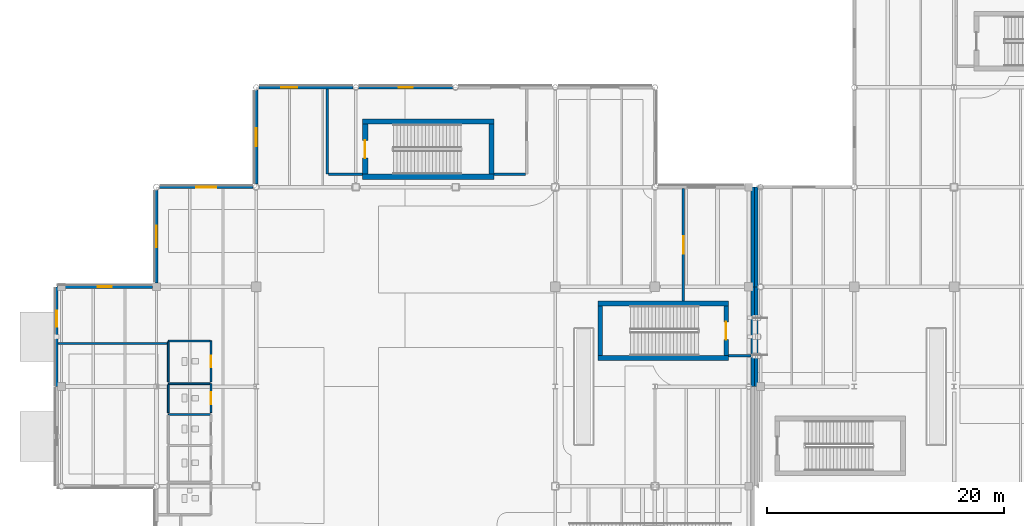
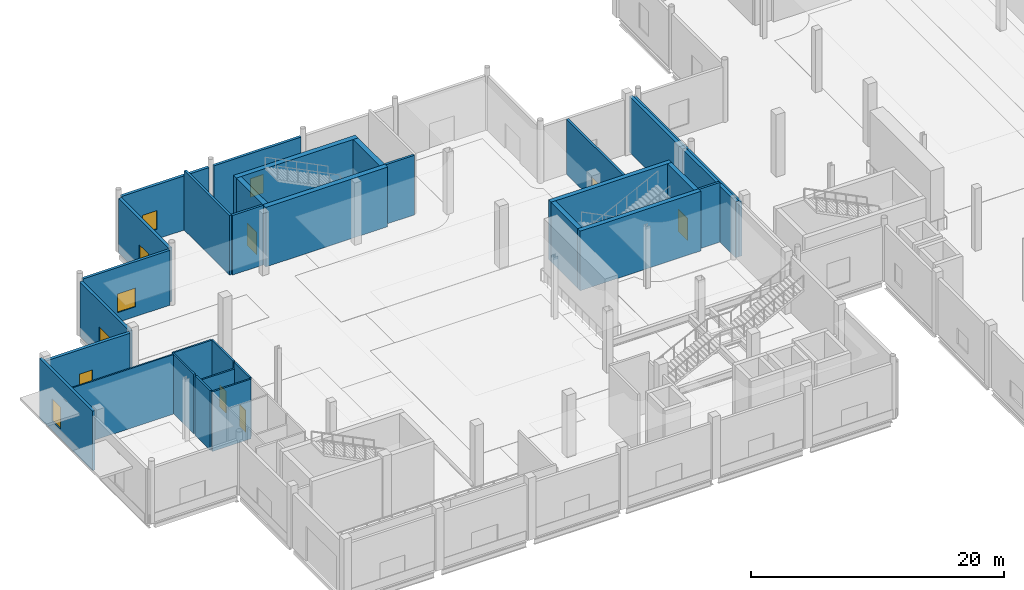
# One storey, part 48 of 85: 32 walls, 7 windows, 5 doors, 12 openings.
"""IFC4 building model written with IfcOpenShell, lengths in metres."""

from ifc_helpers import new_model, si_unit, direction, frame, frame_2d, origin, place, context, subcontext, project, spatial, rectangle, extrude, material, layer, layer_set, type_object, element, fill, save


model = new_model("IFC4")

# Units and contexts
model_context = context("Model", 3, precision=1e-05, world=origin(), true_north=direction((0.0, 1.0)))
body_context = subcontext(model_context, "Body", "Model", "MODEL_VIEW")
ifc_project = project(units=[si_unit("LENGTHUNIT", "METRE"), si_unit("AREAUNIT", "SQUARE_METRE"), si_unit("VOLUMEUNIT", "CUBIC_METRE"), si_unit("PLANEANGLEUNIT", "RADIAN"), si_unit("MASSUNIT", "GRAM", prefix="KILO"), si_unit("THERMODYNAMICTEMPERATUREUNIT", "KELVIN")], contexts=[model_context])

# Site, building, storey
site_placement = place(None, origin())
site = spatial("IfcSite", under=ifc_project, at=site_placement, CompositionType="ELEMENT")
building_placement = place(site_placement, origin())
building = spatial("IfcBuilding", under=site, at=building_placement, Name="Lustrewick Department Store", CompositionType="ELEMENT")
storey_placement = place(building_placement, origin())
storey = spatial("IfcBuildingStorey", under=building, at=storey_placement, Name="L01", CompositionType="ELEMENT", Elevation=0.0)

# Wall, opening, window
ifc_material_1 = material(Name="Precast concrete C40", Category="concrete")
ifc_layer_1 = layer(ifc_material_1, 0.239990234375, Name="Precast concrete C40")
ifc_layer_set_1 = layer_set([ifc_layer_1], Name="Precast concrete C40")
wall_type_1 = type_object("IfcWallType", Name="EW01", PredefinedType="STANDARD", material=ifc_layer_set_1)
wall_1_placement = place(storey_placement, frame((33.37646484375, 92.39990234375, 0.0), z_axis=(0.0, 0.0, 1.0), x_axis=(-1.0, 0.0, 0.0)))
wall_1 = element("IfcWall", 1, at=wall_1_placement, inside=storey, type_object=wall_type_1, Name="L01 V1 Exterior Wall EW01", PredefinedType="STANDARD", context=body_context, shape_type="SweptSolid", body=[
    extrude(rectangle(XDim=7.952880859375, YDim=0.239990234375, at=frame_2d((3.9765625, 0.0))), origin(), (0.0, 0.0, 1.0), 5.23095703125),
])
opening_1_placement = place(wall_1_placement, frame((3.37646484375, 0.0, 0.949951171875)))
opening_1 = element("IfcOpeningElement", 2, at=opening_1_placement, cuts=wall_1, Name="Opening WN01", PredefinedType="OPENING", context=body_context, shape_type="SweptSolid", body=[
    extrude(rectangle(XDim=1.199951171875, YDim=1.800048828125, at=frame_2d((0.60009765625, 0.89990234375))), frame((0.0, 0.1298828125, 0.0), z_axis=(0.0, -1.0, 0.0), x_axis=(1.0, 0.0, 0.0)), (0.0, 0.0, 1.0), 0.260009765625),
])
ifc_material_2 = material(Name="Thermally broken Low-E triple-glazed window", Category="glass")
window_type_1 = type_object("IfcWindowType", Name="WN01", PartitioningType="DOUBLE_PANEL_VERTICAL", PredefinedType="WINDOW", material=ifc_material_2)
window_1_placement = place(opening_1_placement, origin())
window_1 = element("IfcWindow", 3, at=window_1_placement, inside=storey, type_object=window_type_1, Name="L01 Art Nouveau Window WN01", OverallHeight=1.800048828125, OverallWidth=1.199951171875, PartitioningType="SINGLE_PANEL", PredefinedType="WINDOW", context=body_context, shape_type="SweptSolid", body=[
    extrude(rectangle(XDim=1.199951171875, YDim=1.800048828125, at=frame_2d((0.60009765625, 0.89990234375))), frame((0.0, 0.030029296875, 0.0), z_axis=(0.0, -1.0, 0.0), x_axis=(1.0, 0.0, 0.0)), (0.0, 0.0, 1.0), 0.06005859375),
])
fill(opening_1, window_1)

wall_2_placement = place(storey_placement, frame((16.551025390625, 84.0, 0.0), z_axis=(0.0, 0.0, 1.0), x_axis=(-1.0, 0.0, 0.0)))
wall_2 = element("IfcWall", 4, at=wall_2_placement, inside=storey, type_object=wall_type_1, Name="L01 V1 Exterior Wall EW01", PredefinedType="STANDARD", context=body_context, shape_type="SweptSolid", body=[
    extrude(rectangle(XDim=7.902099609375, YDim=0.239990234375, at=frame_2d((3.951171875, 0.0))), origin(), (0.0, 0.0, 1.0), 5.297119140625),
])
opening_2_placement = place(wall_2_placement, frame((3.111083984375, 0.0, 0.949951171875)))
opening_2 = element("IfcOpeningElement", 5, at=opening_2_placement, cuts=wall_2, Name="Opening WN04", PredefinedType="OPENING", context=body_context, shape_type="SweptSolid", body=[
    extrude(rectangle(XDim=1.679931640625, YDim=1.800048828125, at=frame_2d((0.83984375, 0.89990234375))), frame((0.0, 0.1298828125, 0.0), z_axis=(0.0, -1.0, 0.0), x_axis=(1.0, 0.0, 0.0)), (0.0, 0.0, 1.0), 0.260009765625),
])
window_type_2 = type_object("IfcWindowType", Name="WN04", PartitioningType="DOUBLE_PANEL_VERTICAL", PredefinedType="WINDOW", material=ifc_material_2)
window_2_placement = place(opening_2_placement, origin())
window_2 = element("IfcWindow", 6, at=window_2_placement, inside=storey, type_object=window_type_2, Name="L01 Art Nouveau Window WN04", OverallHeight=1.800048828125, OverallWidth=1.679931640625, PartitioningType="SINGLE_PANEL", PredefinedType="WINDOW", context=body_context, shape_type="SweptSolid", body=[
    extrude(rectangle(XDim=1.679931640625, YDim=1.800048828125, at=frame_2d((0.83984375, 0.89990234375))), frame((0.0, 0.030029296875, 0.0), z_axis=(0.0, -1.0, 0.0), x_axis=(1.0, 0.0, 0.0)), (0.0, 0.0, 1.0), 0.06005859375),
])
fill(opening_2, window_2)

wall_3_placement = place(storey_placement, frame((0.0, 75.60009765625, 0.0), z_axis=(0.0, 0.0, 1.0), x_axis=(0.0, -1.0, 0.0)))
wall_3 = element("IfcWall", 7, at=wall_3_placement, inside=storey, type_object=wall_type_1, Name="L01 V1 Exterior Wall EW01", PredefinedType="STANDARD", context=body_context, shape_type="SweptSolid", body=[
    extrude(rectangle(XDim=8.400146484375, YDim=0.239990234375, at=frame_2d((4.2001953125, 0.0))), origin(), (0.0, 0.0, 1.0), 5.7451171875),
])
opening_3_placement = place(wall_3_placement, frame((2.012939453125, 0.0, 0.949951171875)))
opening_3 = element("IfcOpeningElement", 8, at=opening_3_placement, cuts=wall_3, Name="Opening WN07", PredefinedType="OPENING", context=body_context, shape_type="SweptSolid", body=[
    extrude(rectangle(XDim=1.35009765625, YDim=2.10009765625, at=frame_2d((0.675048828125, 1.050048828125))), frame((0.0, 0.1298828125, 0.0), z_axis=(0.0, -1.0, 0.0), x_axis=(1.0, 0.0, 0.0)), (0.0, 0.0, 1.0), 0.260009765625),
])
window_type_3 = type_object("IfcWindowType", Name="WN07", PartitioningType="DOUBLE_PANEL_VERTICAL", PredefinedType="WINDOW", material=ifc_material_2)
window_3_placement = place(opening_3_placement, origin())
window_3 = element("IfcWindow", 9, at=window_3_placement, inside=storey, type_object=window_type_3, Name="L01 Art Nouveau Window WN07", OverallHeight=2.10009765625, OverallWidth=1.35009765625, PartitioningType="SINGLE_PANEL", PredefinedType="WINDOW", context=body_context, shape_type="SweptSolid", body=[
    extrude(rectangle(XDim=1.35009765625, YDim=2.10009765625, at=frame_2d((0.675048828125, 1.050048828125))), frame((0.0, 0.030029296875, 0.0), z_axis=(0.0, -1.0, 0.0), x_axis=(1.0, 0.0, 0.0)), (0.0, 0.0, 1.0), 0.06005859375),
])
fill(opening_3, window_3)

ifc_layer_2 = layer(ifc_material_1, 0.260009765625, Name="Precast concrete C40")
ifc_layer_set_2 = layer_set([ifc_layer_2], Name="Precast concrete C40")
wall_type_2 = type_object("IfcWallType", Name="EW02", PredefinedType="STANDARD", material=ifc_layer_set_2)
wall_4_placement = place(storey_placement, frame((24.9765625, 92.39990234375, 0.0), z_axis=(0.0, 0.0, 1.0), x_axis=(-1.0, 0.0, 0.0)))
wall_4 = element("IfcWall", 10, at=wall_4_placement, inside=storey, type_object=wall_type_2, Name="L01 V1 Exterior Wall EW02", PredefinedType="STANDARD", context=body_context, shape_type="SweptSolid", body=[
    extrude(rectangle(XDim=7.953125, YDim=0.260009765625, at=frame_2d((3.9765625, 0.0))), origin(), (0.0, 0.0, 1.0), 5.23095703125),
])
opening_4_placement = place(wall_4_placement, frame((4.73291015625, 0.0, 0.949951171875)))
opening_4 = element("IfcOpeningElement", 11, at=opening_4_placement, cuts=wall_4, Name="Opening WN02", PredefinedType="OPENING", context=body_context, shape_type="SweptSolid", body=[
    extrude(rectangle(XDim=1.35009765625, YDim=1.800048828125, at=frame_2d((0.675048828125, 0.89990234375))), frame((0.0, 0.14013671875, 0.0), z_axis=(0.0, -1.0, 0.0), x_axis=(1.0, 0.0, 0.0)), (0.0, 0.0, 1.0), 0.280029296875),
])
window_type_4 = type_object("IfcWindowType", Name="WN02", PartitioningType="DOUBLE_PANEL_VERTICAL", PredefinedType="WINDOW", material=ifc_material_2)
window_4_placement = place(opening_4_placement, origin())
window_4 = element("IfcWindow", 12, at=window_4_placement, inside=storey, type_object=window_type_4, Name="L01 Art Nouveau Window WN02", OverallHeight=1.800048828125, OverallWidth=1.35009765625, PartitioningType="SINGLE_PANEL", PredefinedType="WINDOW", context=body_context, shape_type="SweptSolid", body=[
    extrude(rectangle(XDim=1.35009765625, YDim=1.800048828125, at=frame_2d((0.675048828125, 0.89990234375))), frame((0.0, 0.030029296875, 0.0), z_axis=(0.0, -1.0, 0.0), x_axis=(1.0, 0.0, 0.0)), (0.0, 0.0, 1.0), 0.06005859375),
])
fill(opening_4, window_4)

wall_5_placement = place(storey_placement, frame((8.39990234375, 83.7509765625, 0.0), z_axis=(0.0, 0.0, 1.0), x_axis=(0.0, -1.0, 0.0)))
wall_5 = element("IfcWall", 13, at=wall_5_placement, inside=storey, type_object=wall_type_2, Name="L01 V1 Exterior Wall EW02", PredefinedType="STANDARD", context=body_context, shape_type="SweptSolid", body=[
    extrude(rectangle(XDim=7.8310546875, YDim=0.260009765625, at=frame_2d((3.91552734375, 0.0))), origin(), (0.0, 0.0, 1.0), 5.23095703125),
])
opening_5_placement = place(wall_5_placement, frame((3.015380859375, 0.0, 0.949951171875)))
opening_5 = element("IfcOpeningElement", 14, at=opening_5_placement, cuts=wall_5, Name="Opening WN05", PredefinedType="OPENING", context=body_context, shape_type="SweptSolid", body=[
    extrude(rectangle(XDim=1.800048828125, YDim=1.800048828125, at=frame_2d((0.89990234375, 0.89990234375))), frame((0.0, 0.14013671875, 0.0), z_axis=(0.0, -1.0, 0.0), x_axis=(1.0, 0.0, 0.0)), (0.0, 0.0, 1.0), 0.280029296875),
])
window_type_5 = type_object("IfcWindowType", Name="WN05", PartitioningType="DOUBLE_PANEL_VERTICAL", PredefinedType="WINDOW", material=ifc_material_2)
window_5_placement = place(opening_5_placement, origin())
window_5 = element("IfcWindow", 15, at=window_5_placement, inside=storey, type_object=window_type_5, Name="L01 Art Nouveau Window WN05", OverallHeight=1.800048828125, OverallWidth=1.800048828125, PartitioningType="SINGLE_PANEL", PredefinedType="WINDOW", context=body_context, shape_type="SweptSolid", body=[
    extrude(rectangle(XDim=1.800048828125, YDim=1.800048828125, at=frame_2d((0.89990234375, 0.89990234375))), frame((0.0, 0.030029296875, 0.0), z_axis=(0.0, -1.0, 0.0), x_axis=(1.0, 0.0, 0.0)), (0.0, 0.0, 1.0), 0.06005859375),
])
fill(opening_5, window_5)

ifc_layer_3 = layer(ifc_material_1, 0.280029296875, Name="Precast concrete C40")
ifc_layer_set_3 = layer_set([ifc_layer_3], Name="Precast concrete C40")
wall_type_3 = type_object("IfcWallType", Name="EW03", PredefinedType="STANDARD", material=ifc_layer_set_3)
wall_6_placement = place(storey_placement, frame((16.800048828125, 92.176513671875, 0.0), z_axis=(0.0, 0.0, 1.0), x_axis=(0.0, -1.0, 0.0)))
wall_6 = element("IfcWall", 16, at=wall_6_placement, inside=storey, type_object=wall_type_3, Name="L01 V1 Exterior Wall EW03", PredefinedType="STANDARD", context=body_context, shape_type="SweptSolid", body=[
    extrude(rectangle(XDim=7.927490234375, YDim=0.280029296875, at=frame_2d((3.9638671875, 0.0))), origin(), (0.0, 0.0, 1.0), 5.23095703125),
])
opening_6_placement = place(wall_6_placement, frame((3.2138671875, 0.0, 0.949951171875)))
opening_6 = element("IfcOpeningElement", 17, at=opening_6_placement, cuts=wall_6, Name="Opening WN03", PredefinedType="OPENING", context=body_context, shape_type="SweptSolid", body=[
    extrude(rectangle(XDim=1.5, YDim=1.800048828125, at=frame_2d((0.75, 0.89990234375))), frame((0.0, 0.14990234375, 0.0), z_axis=(0.0, -1.0, 0.0), x_axis=(1.0, 0.0, 0.0)), (0.0, 0.0, 1.0), 0.300048828125),
])
window_type_6 = type_object("IfcWindowType", Name="WN03", PartitioningType="DOUBLE_PANEL_VERTICAL", PredefinedType="WINDOW", material=ifc_material_2)
window_6_placement = place(opening_6_placement, origin())
window_6 = element("IfcWindow", 18, at=window_6_placement, inside=storey, type_object=window_type_6, Name="L01 Art Nouveau Window WN03", OverallHeight=1.800048828125, OverallWidth=1.5, PartitioningType="SINGLE_PANEL", PredefinedType="WINDOW", context=body_context, shape_type="SweptSolid", body=[
    extrude(rectangle(XDim=1.5, YDim=1.800048828125, at=frame_2d((0.75, 0.89990234375))), frame((0.0, 0.030029296875, 0.0), z_axis=(0.0, -1.0, 0.0), x_axis=(1.0, 0.0, 0.0)), (0.0, 0.0, 1.0), 0.06005859375),
])
fill(opening_6, window_6)

wall_7_placement = place(storey_placement, frame((8.080078125, 75.60009765625, 0.0), z_axis=(0.0, 0.0, 1.0), x_axis=(-1.0, 0.0, 0.0)))
wall_7 = element("IfcWall", 19, at=wall_7_placement, inside=storey, type_object=wall_type_3, Name="L01 V1 Exterior Wall EW03", PredefinedType="STANDARD", context=body_context, shape_type="SweptSolid", body=[
    extrude(rectangle(XDim=8.080078125, YDim=0.280029296875, at=frame_2d((4.0400390625, 0.0))), origin(), (0.0, 0.0, 1.0), 5.386962890625),
])
opening_7_placement = place(wall_7_placement, frame((3.43994140625, 0.0, 0.949951171875)))
opening_7 = element("IfcOpeningElement", 20, at=opening_7_placement, cuts=wall_7, Name="Opening WN06", PredefinedType="OPENING", context=body_context, shape_type="SweptSolid", body=[
    extrude(rectangle(XDim=1.199951171875, YDim=2.10009765625, at=frame_2d((0.60009765625, 1.050048828125))), frame((0.0, 0.14990234375, 0.0), z_axis=(0.0, -1.0, 0.0), x_axis=(1.0, 0.0, 0.0)), (0.0, 0.0, 1.0), 0.300048828125),
])
window_type_7 = type_object("IfcWindowType", Name="WN06", PartitioningType="DOUBLE_PANEL_VERTICAL", PredefinedType="WINDOW", material=ifc_material_2)
window_7_placement = place(opening_7_placement, origin())
window_7 = element("IfcWindow", 21, at=window_7_placement, inside=storey, type_object=window_type_7, Name="L01 Art Nouveau Window WN06", OverallHeight=2.10009765625, OverallWidth=1.199951171875, PartitioningType="SINGLE_PANEL", PredefinedType="WINDOW", context=body_context, shape_type="SweptSolid", body=[
    extrude(rectangle(XDim=1.199951171875, YDim=2.10009765625, at=frame_2d((0.60009765625, 1.050048828125))), frame((0.0, 0.030029296875, 0.0), z_axis=(0.0, -1.0, 0.0), x_axis=(1.0, 0.0, 0.0)), (0.0, 0.0, 1.0), 0.06005859375),
])
fill(opening_7, window_7)

# Walls
ifc_layer_4 = layer(ifc_material_1, 0.300048828125, Name="Precast concrete C40")
ifc_layer_set_4 = layer_set([ifc_layer_4], Name="Precast concrete C40")
wall_type_4 = type_object("IfcWallType", Name="EW04", PredefinedType="STANDARD", material=ifc_layer_set_4)
wall_8_placement = place(storey_placement, frame((58.64990234375, 67.199951171875, 0.0), z_axis=(0.0, 0.0, 1.0), x_axis=(0.0, 1.0, 0.0)))
element("IfcWall", 22, at=wall_8_placement, inside=storey, type_object=wall_type_4, Name="L01 V1 Exterior Wall EW04", PredefinedType="STANDARD", context=body_context, shape_type="SweptSolid", body=[
    extrude(rectangle(XDim=8.400146484375, YDim=0.300048828125, at=frame_2d((4.2001953125, 0.0))), origin(), (0.0, 0.0, 1.0), 5.386962890625),
])
wall_9_placement = place(storey_placement, frame((58.64990234375, 75.60009765625, 0.0), z_axis=(0.0, 0.0, 1.0), x_axis=(0.0, 1.0, 0.0)))
element("IfcWall", 23, at=wall_9_placement, inside=storey, type_object=wall_type_4, Name="L01 V1 Exterior Wall EW04", PredefinedType="STANDARD", context=body_context, shape_type="SweptSolid", body=[
    extrude(rectangle(XDim=8.39990234375, YDim=0.300048828125, at=frame_2d((4.199951171875, 0.0))), origin(), (0.0, 0.0, 1.0), 5.386962890625),
])
wall_10_placement = place(storey_placement, frame((58.949951171875, 84.0, 0.0), z_axis=(0.0, 0.0, 1.0), x_axis=(0.0, -1.0, 0.0)))
element("IfcWall", 24, at=wall_10_placement, inside=storey, type_object=wall_type_4, Name="L01 V2 Exterior Wall EW04", PredefinedType="STANDARD", context=body_context, shape_type="SweptSolid", body=[
    extrude(rectangle(XDim=8.39990234375, YDim=0.300048828125, at=frame_2d((4.199951171875, 0.0))), origin(), (0.0, 0.0, 1.0), 5.23095703125),
])
wall_11_placement = place(storey_placement, frame((58.949951171875, 75.60009765625, 0.0), z_axis=(0.0, 0.0, 1.0), x_axis=(0.0, -1.0, 0.0)))
element("IfcWall", 25, at=wall_11_placement, inside=storey, type_object=wall_type_4, Name="L01 V2 Exterior Wall EW04", PredefinedType="STANDARD", context=body_context, shape_type="SweptSolid", body=[
    extrude(rectangle(XDim=8.400146484375, YDim=0.300048828125, at=frame_2d((4.2001953125, 0.0))), origin(), (0.0, 0.0, 1.0), 5.23095703125),
])
ifc_material_3 = material(Name="Autoclaved aerated concrete blockwork and fire board", Category="masonry")
ifc_layer_5 = layer(ifc_material_3, 0.205078125, Name="Autoclaved aerated concrete blockwork and fire board")
ifc_layer_set_5 = layer_set([ifc_layer_5], Name="Autoclaved aerated concrete blockwork and fire board")
wall_type_5 = type_object("IfcWallType", Name="PW02", PredefinedType="PARTITIONING", material=ifc_layer_set_5)
wall_12_placement = place(storey_placement, frame((56.60009765625, 69.800048828125, 0.0), z_axis=(0.0, 0.0, 1.0), x_axis=(1.0, 0.0, 0.0)))
element("IfcWall", 26, at=wall_12_placement, inside=storey, type_object=wall_type_5, Name="L01 Protected Exit Passageway ST02 PW02", PredefinedType="PARTITIONING", context=body_context, shape_type="SweptSolid", body=[
    extrude(rectangle(XDim=1.90478515625, YDim=0.205078125, at=frame_2d((0.952392578125, 0.0))), origin(), (0.0, 0.0, 1.0), 5.7451171875),
])

# Wall, opening, door
wall_13_placement = place(storey_placement, frame((52.800048828125, 83.864990234375, 0.0), z_axis=(0.0, 0.0, 1.0), x_axis=(0.0, -1.0, 0.0)))
wall_13 = element("IfcWall", 27, at=wall_13_placement, inside=storey, type_object=wall_type_5, Name="L01 Protected Exit Passageway ST02 PW02", PredefinedType="PARTITIONING", context=body_context, shape_type="SweptSolid", body=[
    extrude(rectangle(XDim=9.469970703125, YDim=0.205078125, at=frame_2d((4.73486328125, 0.0))), origin(), (0.0, 0.0, 1.0), 5.291015625),
])
opening_8_placement = place(wall_13_placement, frame((3.985107421875, 0.0, 0.0)))
opening_8 = element("IfcOpeningElement", 28, at=opening_8_placement, cuts=wall_13, Name="Opening D-L01-042", PredefinedType="OPENING", context=body_context, shape_type="SweptSolid", body=[
    extrude(rectangle(XDim=1.5, YDim=2.14990234375, at=frame_2d((0.75, 1.074951171875))), frame((0.0, 0.112548828125, 0.0), z_axis=(0.0, -1.0, 0.0), x_axis=(1.0, 0.0, 0.0)), (0.0, 0.0, 1.0), 0.22509765625),
])
ifc_material_4 = material(Name="Steel fire door Class B EI 60", Category="steel")
door_type_1 = type_object("IfcDoorType", Name="DT-07", OperationType="NOTDEFINED", PredefinedType="DOOR", material=ifc_material_4)
door_1_placement = place(opening_8_placement, origin())
door_1 = element("IfcDoor", 29, at=door_1_placement, inside=storey, type_object=door_type_1, Name="L01 Protected Exit Passageway ST02 Door D-L01-042", OperationType="SINGLE_SWING_LEFT", OverallHeight=2.14990234375, OverallWidth=1.5, PredefinedType="DOOR", context=body_context, shape_type="SweptSolid", body=[
    extrude(rectangle(XDim=1.5, YDim=2.14990234375, at=frame_2d((0.75, 1.074951171875))), frame((0.0, 0.02490234375, 0.0), z_axis=(0.0, -1.0, 0.0), x_axis=(1.0, 0.0, 0.0)), (0.0, 0.0, 1.0), 0.050048828125),
])
fill(opening_8, door_1)

# Walls
wall_14_placement = place(storey_placement, frame((22.800048828125, 92.27490234375, 0.0), z_axis=(0.0, 0.0, 1.0), x_axis=(0.0, -1.0, 0.0)))
element("IfcWall", 30, at=wall_14_placement, inside=storey, type_object=wall_type_5, Name="L01 Protected Exit Passageway ST03 PW02", PredefinedType="PARTITIONING", context=body_context, shape_type="SweptSolid", body=[
    extrude(rectangle(XDim=7.1748046875, YDim=0.205078125, at=frame_2d((3.58740234375, 0.0))), origin(), (0.0, 0.0, 1.0), 5.7451171875),
])
wall_15_placement = place(storey_placement, frame((22.8974609375, 85.10009765625, 0.0), z_axis=(0.0, 0.0, 1.0), x_axis=(1.0, 0.0, 0.0)))
element("IfcWall", 31, at=wall_15_placement, inside=storey, type_object=wall_type_5, Name="L01 Protected Exit Passageway ST03 PW02", PredefinedType="PARTITIONING", context=body_context, shape_type="SweptSolid", body=[
    extrude(rectangle(XDim=2.8525390625, YDim=0.205078125, at=frame_2d((1.42626953125, 0.0))), origin(), (0.0, 0.0, 1.0), 5.7451171875),
])
wall_16_placement = place(storey_placement, frame((36.85009765625, 85.10009765625, 0.0), z_axis=(0.0, 0.0, 1.0), x_axis=(1.0, 0.0, 0.0)))
element("IfcWall", 32, at=wall_16_placement, inside=storey, type_object=wall_type_5, Name="L01 Protected Exit Passageway ST03 PW02", PredefinedType="PARTITIONING", context=body_context, shape_type="SweptSolid", body=[
    extrude(rectangle(XDim=2.65234375, YDim=0.205078125, at=frame_2d((1.326171875, 0.0))), origin(), (0.0, 0.0, 1.0), 5.7451171875),
])
ifc_material_5 = material(Name="Moisture-resistant cement board sanitary partition", Category="gypsum")
ifc_layer_6 = layer(ifc_material_5, 0.14990234375, Name="Moisture-resistant cement board sanitary partition")
ifc_layer_set_6 = layer_set([ifc_layer_6], Name="Moisture-resistant cement board sanitary partition")
wall_type_6 = type_object("IfcWallType", Name="PW05", PredefinedType="PARTITIONING", material=ifc_layer_set_6)
wall_17_placement = place(storey_placement, frame((12.929931640625, 64.840087890625, 0.0), z_axis=(0.0, 0.0, 1.0), x_axis=(-1.0, 0.0, 0.0)))
element("IfcWall", 33, at=wall_17_placement, inside=storey, type_object=wall_type_6, Name="L01 Accessible WC PW05", PredefinedType="PARTITIONING", context=body_context, shape_type="SweptSolid", body=[
    extrude(rectangle(XDim=3.530029296875, YDim=0.14990234375, at=frame_2d((1.76513671875, 0.0))), origin(), (0.0, 0.0, 1.0), 5.7451171875),
])

# Wall, opening, door
wall_18_placement = place(storey_placement, frame((13.0, 65.0, 0.0), z_axis=(0.0, 0.0, 1.0), x_axis=(0.0, 1.0, 0.0)))
wall_18 = element("IfcWall", 34, at=wall_18_placement, inside=storey, type_object=wall_type_6, Name="L01 Staff WC PW05", PredefinedType="PARTITIONING", context=body_context, shape_type="SweptSolid", body=[
    extrude(rectangle(XDim=2.43994140625, YDim=0.14990234375, at=frame_2d((1.219970703125, 0.0))), origin(), (0.0, 0.0, 1.0), 5.7451171875),
])
opening_9_placement = place(wall_18_placement, frame((0.719970703125, 0.0, 0.0)))
opening_9 = element("IfcOpeningElement", 35, at=opening_9_placement, cuts=wall_18, Name="Opening D-L01-047", PredefinedType="OPENING", context=body_context, shape_type="SweptSolid", body=[
    extrude(rectangle(XDim=1.0, YDim=2.10009765625, at=frame_2d((0.5, 1.050048828125))), frame((0.0, 0.0849609375, 0.0), z_axis=(0.0, -1.0, 0.0), x_axis=(1.0, 0.0, 0.0)), (0.0, 0.0, 1.0), 0.169921875),
])
ifc_material_6 = material(Name="Moisture-resistant laminate sanitary door", Category="steel")
door_type_2 = type_object("IfcDoorType", Name="DT-11", OperationType="NOTDEFINED", PredefinedType="DOOR", material=ifc_material_6)
door_2_placement = place(opening_9_placement, origin())
door_2 = element("IfcDoor", 36, at=door_2_placement, inside=storey, type_object=door_type_2, Name="L01 Staff WC Door D-L01-047", OperationType="SINGLE_SWING_RIGHT", OverallHeight=2.10009765625, OverallWidth=1.0, PredefinedType="DOOR", context=body_context, shape_type="SweptSolid", body=[
    extrude(rectangle(XDim=1.0, YDim=2.10009765625, at=frame_2d((0.5, 1.050048828125))), frame((0.0, 0.02490234375, 0.0), z_axis=(0.0, -1.0, 0.0), x_axis=(1.0, 0.0, 0.0)), (0.0, 0.0, 1.0), 0.050048828125),
])
fill(opening_9, door_2)

# Walls
wall_19_placement = place(storey_placement, frame((12.929931640625, 67.43994140625, 0.0), z_axis=(0.0, 0.0, 1.0), x_axis=(-1.0, 0.0, 0.0)))
element("IfcWall", 37, at=wall_19_placement, inside=storey, type_object=wall_type_6, Name="L01 Staff WC PW05", PredefinedType="PARTITIONING", context=body_context, shape_type="SweptSolid", body=[
    extrude(rectangle(XDim=3.530029296875, YDim=0.14990234375, at=frame_2d((1.76513671875, 0.0))), origin(), (0.0, 0.0, 1.0), 5.14306640625),
])
wall_20_placement = place(storey_placement, frame((9.39990234375, 67.3701171875, 0.0), z_axis=(0.0, 0.0, 1.0), x_axis=(0.0, -1.0, 0.0)))
element("IfcWall", 38, at=wall_20_placement, inside=storey, type_object=wall_type_6, Name="L01 Staff WC PW05", PredefinedType="PARTITIONING", context=body_context, shape_type="SweptSolid", body=[
    extrude(rectangle(XDim=2.3701171875, YDim=0.14990234375, at=frame_2d((1.18505859375, 0.0))), origin(), (0.0, 0.0, 1.0), 5.7451171875),
])

# Wall, opening, door
wall_21_placement = place(storey_placement, frame((13.0, 67.60009765625, 0.0), z_axis=(0.0, 0.0, 1.0), x_axis=(0.0, 1.0, 0.0)))
wall_21 = element("IfcWall", 39, at=wall_21_placement, inside=storey, type_object=wall_type_6, Name="L01 Nursery Room PW05", PredefinedType="PARTITIONING", context=body_context, shape_type="SweptSolid", body=[
    extrude(rectangle(XDim=3.43994140625, YDim=0.14990234375, at=frame_2d((1.719970703125, 0.0))), origin(), (0.0, 0.0, 1.0), 5.7451171875),
])
opening_10_placement = place(wall_21_placement, frame((1.22998046875, 0.0, 0.0)))
opening_10 = element("IfcOpeningElement", 40, at=opening_10_placement, cuts=wall_21, Name="Opening D-L01-048", PredefinedType="OPENING", context=body_context, shape_type="SweptSolid", body=[
    extrude(rectangle(XDim=0.97998046875, YDim=2.10009765625, at=frame_2d((0.489990234375, 1.050048828125))), frame((0.0, 0.0849609375, 0.0), z_axis=(0.0, -1.0, 0.0), x_axis=(1.0, 0.0, 0.0)), (0.0, 0.0, 1.0), 0.169921875),
])
ifc_material_7 = material(Name="Barrier-free accessible sanitary door", Category="steel")
door_type_3 = type_object("IfcDoorType", Name="DT-12", OperationType="NOTDEFINED", PredefinedType="DOOR", material=ifc_material_7)
door_3_placement = place(opening_10_placement, origin())
door_3 = element("IfcDoor", 41, at=door_3_placement, inside=storey, type_object=door_type_3, Name="L01 Nursery Room Door D-L01-048", OperationType="SINGLE_SWING_LEFT", OverallHeight=2.10009765625, OverallWidth=0.97998046875, PredefinedType="DOOR", context=body_context, shape_type="SweptSolid", body=[
    extrude(rectangle(XDim=0.97998046875, YDim=2.10009765625, at=frame_2d((0.489990234375, 1.050048828125))), frame((0.0, 0.02490234375, 0.0), z_axis=(0.0, -1.0, 0.0), x_axis=(1.0, 0.0, 0.0)), (0.0, 0.0, 1.0), 0.050048828125),
])
fill(opening_10, door_3)

# Walls
wall_22_placement = place(storey_placement, frame((12.929931640625, 71.0400390625, 0.0), z_axis=(0.0, 0.0, 1.0), x_axis=(-1.0, 0.0, 0.0)))
element("IfcWall", 42, at=wall_22_placement, inside=storey, type_object=wall_type_6, Name="L01 Nursery Room PW05", PredefinedType="PARTITIONING", context=body_context, shape_type="SweptSolid", body=[
    extrude(rectangle(XDim=3.530029296875, YDim=0.14990234375, at=frame_2d((1.76513671875, 0.0))), origin(), (0.0, 0.0, 1.0), 5.7451171875),
])
wall_23_placement = place(storey_placement, frame((9.39990234375, 70.969970703125, 0.0), z_axis=(0.0, 0.0, 1.0), x_axis=(0.0, -1.0, 0.0)))
element("IfcWall", 43, at=wall_23_placement, inside=storey, type_object=wall_type_6, Name="L01 Nursery Room PW05", PredefinedType="PARTITIONING", context=body_context, shape_type="SweptSolid", body=[
    extrude(rectangle(XDim=3.369873046875, YDim=0.14990234375, at=frame_2d((1.68505859375, 0.0))), origin(), (0.0, 0.0, 1.0), 5.7451171875),
])
ifc_material_8 = material(Name="Acoustic gypsum stud corridor partition", Category="gypsum")
ifc_layer_7 = layer(ifc_material_8, 0.135009765625, Name="Acoustic gypsum stud corridor partition")
ifc_layer_set_7 = layer_set([ifc_layer_7], Name="Acoustic gypsum stud corridor partition")
wall_type_7 = type_object("IfcWallType", Name="PW06", PredefinedType="PARTITIONING", material=ifc_layer_set_7)
wall_24_placement = place(storey_placement, frame((9.330078125, 70.82666015625, 0.0), z_axis=(0.0, 0.0, 1.0), x_axis=(-1.0, 0.0, 0.0)))
element("IfcWall", 44, at=wall_24_placement, inside=storey, type_object=wall_type_7, Name="L01 Cosmetics and Perfumery Boutique PW06", PredefinedType="PARTITIONING", context=body_context, shape_type="SweptSolid", body=[
    extrude(rectangle(XDim=9.215087890625, YDim=0.135009765625, at=frame_2d((4.607421875, 0.0))), origin(), (0.0, 0.0, 1.0), 5.7451171875),
])
ifc_material_9 = material(Name="Concrete C50", Category="concrete")
ifc_layer_8 = layer(ifc_material_9, 0.449951171875, Name="Concrete C50")
ifc_layer_set_8 = layer_set([ifc_layer_8], Name="Concrete C50")
wall_type_8 = type_object("IfcWallType", Name="SW01", PredefinedType="SHEAR", material=ifc_layer_set_8)
wall_25_placement = place(storey_placement, frame((25.75, 84.875, 0.0), z_axis=(0.0, 0.0, 1.0), x_axis=(1.0, 0.0, 0.0)))
element("IfcWall", 45, at=wall_25_placement, inside=storey, type_object=wall_type_8, Name="L01 Stair Core ST03 Shear Wall S", PredefinedType="SHEAR", context=body_context, shape_type="SweptSolid", body=[
    extrude(rectangle(XDim=11.10009765625, YDim=0.449951171875, at=frame_2d((5.550048828125, 0.0))), origin(), (0.0, 0.0, 1.0), 5.7451171875),
])
wall_26_placement = place(storey_placement, frame((36.625, 85.10009765625, 0.0), z_axis=(0.0, 0.0, 1.0), x_axis=(0.0, 1.0, 0.0)))
element("IfcWall", 46, at=wall_26_placement, inside=storey, type_object=wall_type_8, Name="L01 Stair Core ST03 Shear Wall E", PredefinedType="SHEAR", context=body_context, shape_type="SweptSolid", body=[
    extrude(rectangle(XDim=4.199951171875, YDim=0.449951171875, at=frame_2d((2.10009765625, 0.0))), origin(), (0.0, 0.0, 1.0), 5.7451171875),
])
wall_27_placement = place(storey_placement, frame((36.85009765625, 89.52490234375, 0.0), z_axis=(0.0, 0.0, 1.0), x_axis=(-1.0, 0.0, 0.0)))
element("IfcWall", 47, at=wall_27_placement, inside=storey, type_object=wall_type_8, Name="L01 Stair Core ST03 Shear Wall N", PredefinedType="SHEAR", context=body_context, shape_type="SweptSolid", body=[
    extrude(rectangle(XDim=11.10009765625, YDim=0.449951171875, at=frame_2d((5.550048828125, 0.0))), origin(), (0.0, 0.0, 1.0), 5.7451171875),
])

# Wall, opening, door
wall_28_placement = place(storey_placement, frame((25.97509765625, 89.300048828125, 0.0), z_axis=(0.0, 0.0, 1.0), x_axis=(0.0, -1.0, 0.0)))
wall_28 = element("IfcWall", 48, at=wall_28_placement, inside=storey, type_object=wall_type_8, Name="L01 Stair Core ST03 Shear Wall W", PredefinedType="SHEAR", context=body_context, shape_type="SweptSolid", body=[
    extrude(rectangle(XDim=4.199951171875, YDim=0.449951171875, at=frame_2d((2.10009765625, 0.0))), origin(), (0.0, 0.0, 1.0), 5.7451171875),
])
opening_11_placement = place(wall_28_placement, frame((1.35009765625, 0.0, 0.0)))
opening_11 = element("IfcOpeningElement", 49, at=opening_11_placement, cuts=wall_28, Name="Opening D-L01-003", PredefinedType="OPENING", context=body_context, shape_type="SweptSolid", body=[
    extrude(rectangle(XDim=1.5, YDim=2.14990234375, at=frame_2d((0.75, 1.074951171875))), frame((0.0, 0.23486328125, 0.0), z_axis=(0.0, -1.0, 0.0), x_axis=(1.0, 0.0, 0.0)), (0.0, 0.0, 1.0), 0.469970703125),
])
door_4_placement = place(opening_11_placement, frame((1.5, 0.0, 0.0), z_axis=(0.0, 0.0, 1.0), x_axis=(-1.0, 0.0, 0.0)))
door_4 = element("IfcDoor", 50, at=door_4_placement, inside=storey, type_object=door_type_1, Name="L01 Smoke-Proof Stair ST03 Fire Door", OperationType="SINGLE_SWING_LEFT", OverallHeight=2.14990234375, OverallWidth=1.5, PredefinedType="DOOR", context=body_context, shape_type="SweptSolid", body=[
    extrude(rectangle(XDim=1.5, YDim=2.14990234375, at=frame_2d((0.75, 1.074951171875))), frame((0.0, 0.02490234375, 0.0), z_axis=(0.0, -1.0, 0.0), x_axis=(1.0, 0.0, 0.0)), (0.0, 0.0, 1.0), 0.050048828125),
])
fill(opening_11, door_4)

# Wall
ifc_layer_9 = layer(ifc_material_9, 0.39990234375, Name="Concrete C50")
ifc_layer_set_9 = layer_set([ifc_layer_9], Name="Concrete C50")
wall_type_9 = type_object("IfcWallType", Name="SW02", PredefinedType="SHEAR", material=ifc_layer_set_9)
wall_29_placement = place(storey_placement, frame((45.60009765625, 69.60009765625, 0.0), z_axis=(0.0, 0.0, 1.0), x_axis=(1.0, 0.0, 0.0)))
element("IfcWall", 51, at=wall_29_placement, inside=storey, type_object=wall_type_9, Name="L01 Stair Core ST02 Shear Wall S", PredefinedType="SHEAR", context=body_context, shape_type="SweptSolid", body=[
    extrude(rectangle(XDim=11.0, YDim=0.39990234375, at=frame_2d((5.5, 0.0))), origin(), (0.0, 0.0, 1.0), 5.7451171875),
])

# Wall, opening, door
wall_30_placement = place(storey_placement, frame((56.39990234375, 69.800048828125, 0.0), z_axis=(0.0, 0.0, 1.0), x_axis=(0.0, 1.0, 0.0)))
wall_30 = element("IfcWall", 52, at=wall_30_placement, inside=storey, type_object=wall_type_9, Name="L01 Stair Core ST02 Shear Wall E", PredefinedType="SHEAR", context=body_context, shape_type="SweptSolid", body=[
    extrude(rectangle(XDim=4.199951171875, YDim=0.39990234375, at=frame_2d((2.10009765625, 0.0))), origin(), (0.0, 0.0, 1.0), 5.7451171875),
])
opening_12_placement = place(wall_30_placement, frame((1.35009765625, 0.0, 0.0)))
opening_12 = element("IfcOpeningElement", 53, at=opening_12_placement, cuts=wall_30, Name="Opening D-L01-002", PredefinedType="OPENING", context=body_context, shape_type="SweptSolid", body=[
    extrude(rectangle(XDim=1.5, YDim=2.14990234375, at=frame_2d((0.75, 1.074951171875))), frame((0.0, 0.2099609375, 0.0), z_axis=(0.0, -1.0, 0.0), x_axis=(1.0, 0.0, 0.0)), (0.0, 0.0, 1.0), 0.419921875),
])
door_5_placement = place(opening_12_placement, frame((1.5, 0.0, 0.0), z_axis=(0.0, 0.0, 1.0), x_axis=(-1.0, 0.0, 0.0)))
door_5 = element("IfcDoor", 54, at=door_5_placement, inside=storey, type_object=door_type_1, Name="L01 Smoke-Proof Stair ST02 Fire Door", OperationType="SINGLE_SWING_RIGHT", OverallHeight=2.14990234375, OverallWidth=1.5, PredefinedType="DOOR", context=body_context, shape_type="SweptSolid", body=[
    extrude(rectangle(XDim=1.5, YDim=2.14990234375, at=frame_2d((0.75, 1.074951171875))), frame((0.0, 0.02490234375, 0.0), z_axis=(0.0, -1.0, 0.0), x_axis=(1.0, 0.0, 0.0)), (0.0, 0.0, 1.0), 0.050048828125),
])
fill(opening_12, door_5)

# Walls
wall_31_placement = place(storey_placement, frame((56.60009765625, 74.199951171875, 0.0), z_axis=(0.0, 0.0, 1.0), x_axis=(-1.0, 0.0, 0.0)))
element("IfcWall", 55, at=wall_31_placement, inside=storey, type_object=wall_type_9, Name="L01 Stair Core ST02 Shear Wall N", PredefinedType="SHEAR", context=body_context, shape_type="SweptSolid", body=[
    extrude(rectangle(XDim=11.0, YDim=0.39990234375, at=frame_2d((5.5, 0.0))), origin(), (0.0, 0.0, 1.0), 5.7451171875),
])
wall_32_placement = place(storey_placement, frame((45.800048828125, 74.0, 0.0), z_axis=(0.0, 0.0, 1.0), x_axis=(0.0, -1.0, 0.0)))
element("IfcWall", 56, at=wall_32_placement, inside=storey, type_object=wall_type_9, Name="L01 Stair Core ST02 Shear Wall W", PredefinedType="SHEAR", context=body_context, shape_type="SweptSolid", body=[
    extrude(rectangle(XDim=4.199951171875, YDim=0.39990234375, at=frame_2d((2.10009765625, 0.0))), origin(), (0.0, 0.0, 1.0), 5.7451171875),
])

save(model, "model.ifc")
